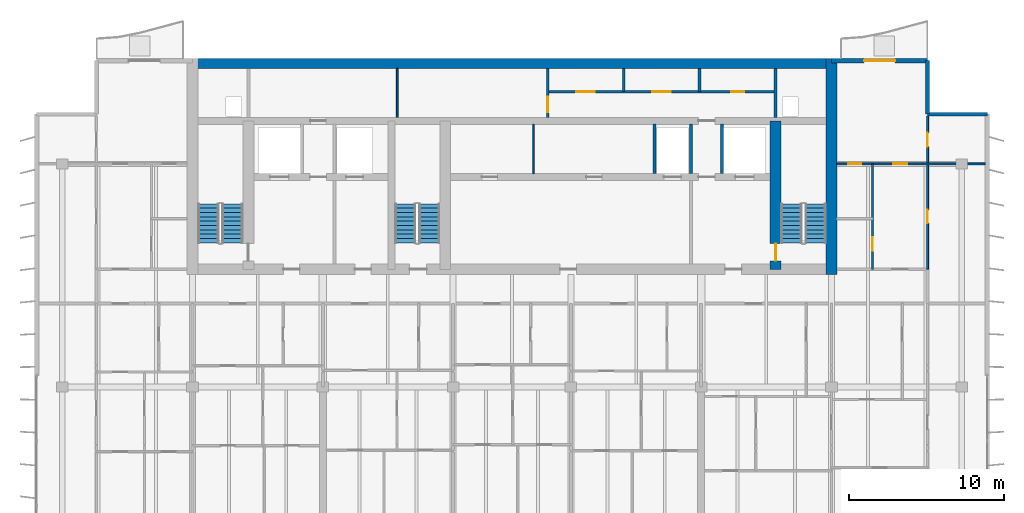
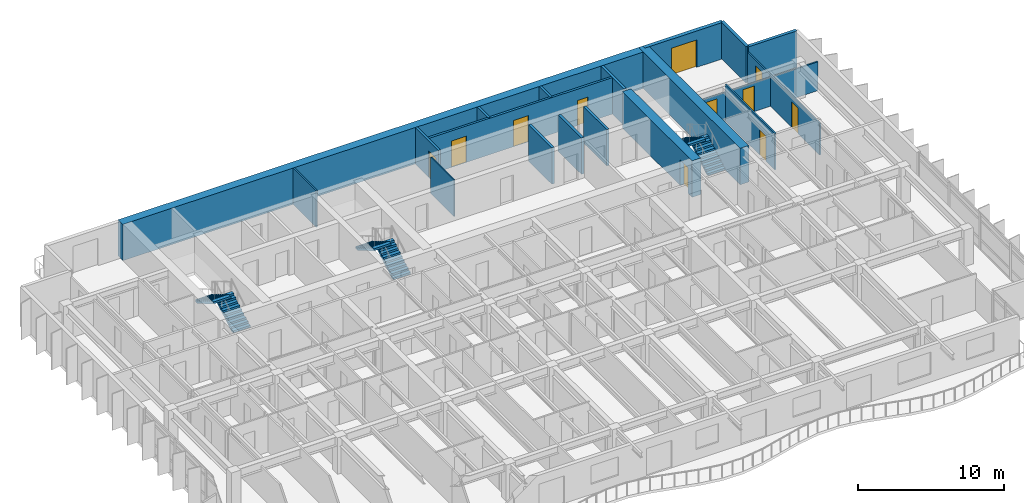
# One storey, part 11 of 17: 19 walls, 11 doors, 6 stair flights, 11 openings, 3 elements without a shape of their own.
"""IFC4 building model written with IfcOpenShell, lengths in metres."""

from ifc_helpers import new_model, si_unit, direction, frame, frame_2d, origin, place, context, subcontext, project, spatial, polyline, rectangle, outline, extrude, material, layer, layer_set, type_object, element, fill, aggregate, save


model = new_model("IFC4")

# Units and contexts
model_context = context("Model", 3, precision=1e-05, world=origin(), true_north=direction((0.0, 1.0)))
body_context = subcontext(model_context, "Body", "Model", "MODEL_VIEW")
ifc_project = project(units=[si_unit("LENGTHUNIT", "METRE"), si_unit("AREAUNIT", "SQUARE_METRE"), si_unit("VOLUMEUNIT", "CUBIC_METRE"), si_unit("PLANEANGLEUNIT", "RADIAN"), si_unit("MASSUNIT", "GRAM", prefix="KILO")], contexts=[model_context])

# Site, building, storey
site_placement = place(None, origin())
site = spatial("IfcSite", under=ifc_project, at=site_placement, CompositionType="ELEMENT")
building_placement = place(site_placement, origin())
building = spatial("IfcBuilding", under=site, at=building_placement, Name="Caelmar Bay Residences", CompositionType="ELEMENT")
storey_placement = place(building_placement, frame((0.0, 0.0, 262.800048828125)))
storey = spatial("IfcBuildingStorey", under=building, at=storey_placement, Name="L74", CompositionType="ELEMENT", Elevation=262.800048828125)

# Wall
ifc_material_1 = material(Name="Concrete f'c 55 MPa (8,000 psi)", Category="concrete")
ifc_layer_1 = layer(ifc_material_1, 0.699951171875)
ifc_layer_set_1 = layer_set([ifc_layer_1], Name="Concrete f'c 55 MPa (8,000 psi)")
wall_type_1 = type_object("IfcWallType", Name="SW-COR-700", PredefinedType="SHEAR", material=ifc_layer_set_1)
wall_1_placement = place(storey_placement, frame((59.5, 36.64990234375, 0.0), z_axis=(0.0, 0.0, 1.0), x_axis=(0.0, 1.0, 0.0)))
element("IfcWall", 1, at=wall_1_placement, inside=storey, type_object=wall_type_1, Name="L74 Rear Core East Shear Wall", PredefinedType="SHEAR", context=body_context, shape_type="SweptSolid", body=[
    extrude(rectangle(XDim=13.9501953125, YDim=0.699951171875, at=frame_2d((6.97509765625, 0.0))), origin(), (0.0, 0.0, 1.0), 3.050048828125),
])

# Wall, opening, door
wall_2_placement = place(storey_placement, frame((55.89990234375, 37.0, 0.0), z_axis=(0.0, 0.0, 1.0), x_axis=(0.0, 1.0, 0.0)))
wall_2 = element("IfcWall", 2, at=wall_2_placement, inside=storey, type_object=wall_type_1, Name="L74 Core Structural Web Wall ST2W", PredefinedType="SHEAR", context=body_context, shape_type="SweptSolid", body=[
    extrude(rectangle(XDim=9.574951171875, YDim=0.699951171875, at=frame_2d((4.78759765625, 0.0))), origin(), (0.0, 0.0, 1.0), 3.050048828125),
])
opening_1_placement = place(wall_2_placement, frame((0.550048828125, 0.0, 0.0)))
opening_1 = element("IfcOpeningElement", 3, at=opening_1_placement, cuts=wall_2, Name="Opening D-L74-110", PredefinedType="OPENING", context=body_context, shape_type="SweptSolid", body=[
    extrude(rectangle(XDim=1.10009765625, YDim=2.14990234375, at=frame_2d((0.550048828125, 1.074951171875))), frame((0.0, 0.35986328125, 0.0), z_axis=(0.0, -1.0, 0.0), x_axis=(1.0, 0.0, 0.0)), (0.0, 0.0, 1.0), 0.719970703125),
])
ifc_material_2 = material(Name="Fire-rated steel and walnut architectural door assembly", Category="steel")
ifc_layer_2 = layer(ifc_material_2, 0.050048828125)
ifc_layer_set_2 = layer_set([ifc_layer_2], Name="Fire-rated steel and walnut architectural door assembly")
door_type_1 = type_object("IfcDoorType", Name="D-STAIR-1100", OperationType="NOTDEFINED", PredefinedType="DOOR", material=ifc_layer_set_2)
door_1_placement = place(opening_1_placement, origin())
door_1 = element("IfcDoor", 4, at=door_1_placement, inside=storey, type_object=door_type_1, Name="L74 Firefighting Lobby East Door", OperationType="SINGLE_SWING_RIGHT", OverallHeight=2.14990234375, OverallWidth=1.10009765625, PredefinedType="DOOR", context=body_context, shape_type="SweptSolid", body=[
    extrude(rectangle(XDim=1.10009765625, YDim=2.14990234375, at=frame_2d((0.550048828125, 1.074951171875))), frame((0.0, 0.02490234375, 0.0), z_axis=(0.0, -1.0, 0.0), x_axis=(1.0, 0.0, 0.0)), (0.0, 0.0, 1.0), 0.050048828125),
])
fill(opening_1, door_1)

# Wall
ifc_layer_3 = layer(ifc_material_1, 0.64990234375)
ifc_layer_set_3 = layer_set([ifc_layer_3], Name="Concrete f'c 55 MPa (8,000 psi)")
wall_type_2 = type_object("IfcWallType", Name="SW-CORN-650", PredefinedType="SHEAR", material=ifc_layer_set_3)
wall_3_placement = place(storey_placement, frame((17.949951171875, 50.27490234375, 0.0), z_axis=(0.0, 0.0, 1.0), x_axis=(1.0, 0.0, 0.0)))
element("IfcWall", 5, at=wall_3_placement, inside=storey, type_object=wall_type_2, Name="L74 Rear Core North Shear Wall", PredefinedType="SHEAR", context=body_context, shape_type="SweptSolid", body=[
    extrude(rectangle(XDim=41.900146484375, YDim=0.64990234375, at=frame_2d((20.9501953125, 0.0))), origin(), (0.0, 0.0, 1.0), 3.050048828125),
])

# Wall, opening, door
ifc_material_3 = material(Name="Double-stud acoustic fire-rated gypsum partition 180 mm")
ifc_layer_4 = layer(ifc_material_3, 0.179931640625)
ifc_layer_set_4 = layer_set([ifc_layer_4], Name="Double-stud acoustic fire-rated gypsum partition 180 mm")
wall_type_3 = type_object("IfcWallType", Name="W-COR-200", PredefinedType="PARTITIONING", material=ifc_layer_set_4)
wall_4_placement = place(storey_placement, frame((41.199951171875, 46.794921875, 0.0), z_axis=(0.0, 0.0, 1.0), x_axis=(0.0, 1.0, 0.0)))
wall_4 = element("IfcWall", 6, at=wall_4_placement, inside=storey, type_object=wall_type_3, Name="L74 Partition Wall V056", PredefinedType="PARTITIONING", context=body_context, shape_type="SweptSolid", body=[
    extrude(rectangle(XDim=3.16015625, YDim=0.179931640625, at=frame_2d((1.580078125, 0.0))), origin(), (0.0, 0.0, 1.0), 3.050048828125),
])
opening_2_placement = place(wall_4_placement, frame((0.327392578125, 0.0, 0.0)))
opening_2 = element("IfcOpeningElement", 7, at=opening_2_placement, cuts=wall_4, Name="Opening D-L74-118", PredefinedType="OPENING", context=body_context, shape_type="SweptSolid", body=[
    extrude(rectangle(XDim=1.0, YDim=2.199951171875, at=frame_2d((0.5, 1.10009765625))), frame((0.0, 0.099853515625, 0.0), z_axis=(0.0, -1.0, 0.0), x_axis=(1.0, 0.0, 0.0)), (0.0, 0.0, 1.0), 0.199951171875),
])
ifc_layer_5 = layer(ifc_material_2, 0.050048828125)
ifc_layer_set_5 = layer_set([ifc_layer_5], Name="Fire-rated steel and walnut architectural door assembly")
door_type_2 = type_object("IfcDoorType", Name="D-UNIT-1000", OperationType="NOTDEFINED", PredefinedType="DOOR", material=ifc_layer_set_5)
door_2_placement = place(opening_2_placement, origin())
door_2 = element("IfcDoor", 8, at=door_2_placement, inside=storey, type_object=door_type_2, Name="L74 Engineering Control Office Door", OperationType="SINGLE_SWING_RIGHT", OverallHeight=2.199951171875, OverallWidth=1.0, PredefinedType="DOOR", context=body_context, shape_type="SweptSolid", body=[
    extrude(rectangle(XDim=1.0, YDim=2.199951171875, at=frame_2d((0.5, 1.10009765625))), frame((0.0, 0.02490234375, 0.0), z_axis=(0.0, -1.0, 0.0), x_axis=(1.0, 0.0, 0.0)), (0.0, 0.0, 1.0), 0.050048828125),
])
fill(opening_2, door_2)

# Walls
for number, where, z_axis, x_axis, name in (
    (9, (46.10009765625, 48.449951171875, 0.0), (0.0, 0.0, 1.0), (0.0, 1.0, 0.0), "L74 Partition Wall V063"),
    (10, (51.0, 48.449951171875, 0.0), (0.0, 0.0, 1.0), (0.0, 1.0, 0.0), "L74 Partition Wall V073"),
):
    element("IfcWall", number, at=place(storey_placement, frame(where, z_axis=z_axis, x_axis=x_axis)), inside=storey, type_object=wall_type_3, Name=name, PredefinedType="PARTITIONING", context=body_context, shape_type="SweptSolid", body=[
        extrude(rectangle(XDim=1.505126953125, YDim=0.179931640625, at=frame_2d((0.75244140625, 0.0))), origin(), (0.0, 0.0, 1.0), 3.050048828125),
    ])

# Wall, openings, doors
wall_5_placement = place(storey_placement, frame((41.199951171875, 48.449951171875, 0.0), z_axis=(0.0, 0.0, 1.0), x_axis=(1.0, 0.0, 0.0)))
wall_5 = element("IfcWall", 11, at=wall_5_placement, inside=storey, type_object=wall_type_3, Name="L74 Partition Wall H140", PredefinedType="PARTITIONING", context=body_context, shape_type="SweptSolid", body=[
    extrude(rectangle(XDim=14.699951171875, YDim=0.179931640625, at=frame_2d((7.35009765625, 0.0))), origin(), (0.0, 0.0, 1.0), 3.050048828125),
])
opening_3_placement = place(wall_5_placement, frame((1.85009765625, 0.0, 0.0)))
opening_3 = element("IfcOpeningElement", 12, at=opening_3_placement, cuts=wall_5, Name="Opening D-L74-119", PredefinedType="OPENING", context=body_context, shape_type="SweptSolid", body=[
    extrude(rectangle(XDim=1.199951171875, YDim=2.199951171875, at=frame_2d((0.60009765625, 1.10009765625))), frame((0.0, 0.099853515625, 0.0), z_axis=(0.0, -1.0, 0.0), x_axis=(1.0, 0.0, 0.0)), (0.0, 0.0, 1.0), 0.199951171875),
])
opening_4_placement = place(wall_5_placement, frame((6.75, 0.0, 0.0)))
opening_4 = element("IfcOpeningElement", 13, at=opening_4_placement, cuts=wall_5, Name="Opening D-L74-120", PredefinedType="OPENING", context=body_context, shape_type="SweptSolid", body=[
    extrude(rectangle(XDim=1.199951171875, YDim=2.199951171875, at=frame_2d((0.60009765625, 1.10009765625))), frame((0.0, 0.099853515625, 0.0), z_axis=(0.0, -1.0, 0.0), x_axis=(1.0, 0.0, 0.0)), (0.0, 0.0, 1.0), 0.199951171875),
])
opening_5_placement = place(wall_5_placement, frame((11.824951171875, 0.0, 0.0)))
opening_5 = element("IfcOpeningElement", 14, at=opening_5_placement, cuts=wall_5, Name="Opening D-L74-121", PredefinedType="OPENING", context=body_context, shape_type="SweptSolid", body=[
    extrude(rectangle(XDim=0.85009765625, YDim=2.10009765625, at=frame_2d((0.425048828125, 1.050048828125))), frame((0.0, 0.099853515625, 0.0), z_axis=(0.0, -1.0, 0.0), x_axis=(1.0, 0.0, 0.0)), (0.0, 0.0, 1.0), 0.199951171875),
])
ifc_layer_6 = layer(ifc_material_2, 0.050048828125)
ifc_layer_set_6 = layer_set([ifc_layer_6], Name="Fire-rated steel and walnut architectural door assembly")
door_type_3 = type_object("IfcDoorType", Name="D-CORE-850", OperationType="NOTDEFINED", PredefinedType="DOOR", material=ifc_layer_set_6)
door_3_placement = place(opening_5_placement, origin())
door_3 = element("IfcDoor", 15, at=door_3_placement, inside=storey, type_object=door_type_3, Name="L74 Accessible Staff WC Door", OperationType="SINGLE_SWING_LEFT", OverallHeight=2.10009765625, OverallWidth=0.85009765625, PredefinedType="DOOR", context=body_context, shape_type="SweptSolid", body=[
    extrude(rectangle(XDim=0.85009765625, YDim=2.10009765625, at=frame_2d((0.425048828125, 1.050048828125))), frame((0.0, 0.02490234375, 0.0), z_axis=(0.0, -1.0, 0.0), x_axis=(1.0, 0.0, 0.0)), (0.0, 0.0, 1.0), 0.050048828125),
])
fill(opening_5, door_3)
ifc_layer_7 = layer(ifc_material_2, 0.050048828125)
ifc_layer_set_7 = layer_set([ifc_layer_7], Name="Fire-rated steel and walnut architectural door assembly")
door_type_4 = type_object("IfcDoorType", Name="D-PLANT-1200", OperationType="NOTDEFINED", PredefinedType="DOOR", material=ifc_layer_set_7)
door_4_placement = place(opening_3_placement, origin())
door_4 = element("IfcDoor", 16, at=door_4_placement, inside=storey, type_object=door_type_4, Name="L74 Electrical Closet Door", OperationType="SINGLE_SWING_LEFT", OverallHeight=2.199951171875, OverallWidth=1.199951171875, PredefinedType="DOOR", context=body_context, shape_type="SweptSolid", body=[
    extrude(rectangle(XDim=1.199951171875, YDim=2.199951171875, at=frame_2d((0.60009765625, 1.10009765625))), frame((0.0, 0.02490234375, 0.0), z_axis=(0.0, -1.0, 0.0), x_axis=(1.0, 0.0, 0.0)), (0.0, 0.0, 1.0), 0.050048828125),
])
fill(opening_3, door_4)
door_5_placement = place(opening_4_placement, origin())
door_5 = element("IfcDoor", 17, at=door_5_placement, inside=storey, type_object=door_type_4, Name="L74 Housekeeping Linen Closet Door", OperationType="SINGLE_SWING_RIGHT", OverallHeight=2.199951171875, OverallWidth=1.199951171875, PredefinedType="DOOR", context=body_context, shape_type="SweptSolid", body=[
    extrude(rectangle(XDim=1.199951171875, YDim=2.199951171875, at=frame_2d((0.60009765625, 1.10009765625))), frame((0.0, 0.02490234375, 0.0), z_axis=(0.0, -1.0, 0.0), x_axis=(1.0, 0.0, 0.0)), (0.0, 0.0, 1.0), 0.050048828125),
])
fill(opening_4, door_5)

# Walls
ifc_material_4 = material(Name="Precast concrete f'c 40 MPa (6,000 psi)", Category="concrete")
ifc_layer_8 = layer(ifc_material_4, 0.25)
ifc_layer_set_8 = layer_set([ifc_layer_8], Name="Precast concrete f'c 40 MPa (6,000 psi)")
wall_type_4 = type_object("IfcWallType", Name="W-EXT-250", PredefinedType="ELEMENTEDWALL", material=ifc_layer_set_8)
wall_6_placement = place(storey_placement, frame((65.699951171875, 50.449951171875, 0.0), z_axis=(0.0, 0.0, 1.0), x_axis=(0.0, -1.0, 0.0)))
element("IfcWall", 18, at=wall_6_placement, inside=storey, type_object=wall_type_4, Name="L74 NNE-V Notch Wall", PredefinedType="ELEMENTEDWALL", context=body_context, shape_type="SweptSolid", body=[
    extrude(rectangle(XDim=3.449951171875, YDim=0.25, at=frame_2d((1.72509765625, 0.0))), origin(), (0.0, 0.0, 1.0), 3.050048828125),
])
wall_7_placement = place(storey_placement, frame((65.699951171875, 47.0, 0.0), z_axis=(0.0, 0.0, 1.0), x_axis=(1.0, 0.0, 0.0)))
element("IfcWall", 19, at=wall_7_placement, inside=storey, type_object=wall_type_4, Name="L74 NNE-H Notch Wall", PredefinedType="ELEMENTEDWALL", context=body_context, shape_type="SweptSolid", body=[
    extrude(rectangle(XDim=3.85009765625, YDim=0.25, at=frame_2d((1.925048828125, 0.0))), origin(), (0.0, 0.0, 1.0), 3.050048828125),
])

# Wall, opening, door
ifc_layer_9 = layer(ifc_material_4, 0.300048828125)
ifc_layer_set_9 = layer_set([ifc_layer_9], Name="Precast concrete f'c 40 MPa (6,000 psi)")
wall_type_5 = type_object("IfcWallType", Name="W-EXT-300", PredefinedType="STANDARD", material=ifc_layer_set_9)
wall_8_placement = place(storey_placement, frame((59.5, 50.449951171875, 0.0), z_axis=(0.0, 0.0, 1.0), x_axis=(1.0, 0.0, 0.0)))
wall_8 = element("IfcWall", 20, at=wall_8_placement, inside=storey, type_object=wall_type_5, Name="L74 North-East Wing Exterior Wall", PredefinedType="STANDARD", context=body_context, shape_type="SweptSolid", body=[
    extrude(rectangle(XDim=6.199951171875, YDim=0.300048828125, at=frame_2d((3.10009765625, 0.0))), origin(), (0.0, 0.0, 1.0), 3.050048828125),
])
opening_6_placement = place(wall_8_placement, frame((2.10009765625, 0.0, 0.0)))
opening_6 = element("IfcOpeningElement", 21, at=opening_6_placement, cuts=wall_8, Name="Opening L74-BDNE", PredefinedType="OPENING", context=body_context, shape_type="SweptSolid", body=[
    extrude(rectangle(XDim=2.0, YDim=2.300048828125, at=frame_2d((1.0, 1.14990234375))), frame((0.0, 0.159912109375, 0.0), z_axis=(0.0, -1.0, 0.0), x_axis=(1.0, 0.0, 0.0)), (0.0, 0.0, 1.0), 0.320068359375),
])
ifc_material_5 = material(Name="Anodised bronze thermally broken sliding glass door", Category="glass")
ifc_layer_10 = layer(ifc_material_5, 0.050048828125)
ifc_layer_set_10 = layer_set([ifc_layer_10], Name="Anodised bronze thermally broken sliding glass door")
door_type_5 = type_object("IfcDoorType", Name="D-BAL-2000", OperationType="DOUBLE_DOOR_SLIDING", PredefinedType="DOOR", material=ifc_layer_set_10)
door_6_placement = place(opening_6_placement, origin())
door_6 = element("IfcDoor", 22, at=door_6_placement, inside=storey, type_object=door_type_5, Name="L74 North-East Balcony Door", OperationType="DOUBLE_DOOR_SLIDING", OverallHeight=2.300048828125, OverallWidth=2.0, PredefinedType="DOOR", context=body_context, shape_type="SweptSolid", body=[
    extrude(rectangle(XDim=2.0, YDim=2.300048828125, at=frame_2d((1.0, 1.14990234375))), frame((0.0, 0.02490234375, 0.0), z_axis=(0.0, -1.0, 0.0), x_axis=(1.0, 0.0, 0.0)), (0.0, 0.0, 1.0), 0.050048828125),
])
fill(opening_6, door_6)

# Walls
ifc_material_6 = material(Name="Fire-rated masonry and gypsum shaftliner assembly 200 mm", Category="masonry")
ifc_layer_11 = layer(ifc_material_6, 0.199951171875)
ifc_layer_set_11 = layer_set([ifc_layer_11], Name="Fire-rated masonry and gypsum shaftliner assembly 200 mm")
wall_type_6 = type_object("IfcWallType", Name="W-FSAE-200", PredefinedType="PARTITIONING", material=ifc_layer_set_11)
for number, where, z_axis, x_axis, name in (
    (23, (48.10009765625, 43.169921875, 0.0), (0.0, 0.0, 1.0), (0.0, 1.0, 0.0), "L74 Partition Wall V068"),
    (24, (50.449951171875, 43.169921875, 0.0), (0.0, 0.0, 1.0), (0.0, 1.0, 0.0), "L74 Partition Wall V072"),
    (25, (52.449951171875, 43.169921875, 0.0), (0.0, 0.0, 1.0), (0.0, 1.0, 0.0), "L74 Partition Wall V079"),
):
    element("IfcWall", number, at=place(storey_placement, frame(where, z_axis=z_axis, x_axis=x_axis)), inside=storey, type_object=wall_type_6, Name=name, PredefinedType="PARTITIONING", context=body_context, shape_type="SweptSolid", body=[
        extrude(rectangle(XDim=3.18505859375, YDim=0.199951171875, at=frame_2d((1.592529296875, 0.0))), origin(), (0.0, 0.0, 1.0), 3.050048828125),
    ])
wall_9_placement = place(storey_placement, frame((55.89990234375, 46.794921875, 0.0), z_axis=(0.0, 0.0, 1.0), x_axis=(0.0, 1.0, 0.0)))
element("IfcWall", 26, at=wall_9_placement, inside=storey, type_object=wall_type_6, Name="L74 Partition Wall V083", PredefinedType="PARTITIONING", context=body_context, shape_type="SweptSolid", body=[
    extrude(rectangle(XDim=3.16015625, YDim=0.199951171875, at=frame_2d((1.580078125, 0.0))), origin(), (0.0, 0.0, 1.0), 3.050048828125),
])
ifc_material_7 = material(Name="Anodised bronze framed acoustic sliding study partition 100 mm")
ifc_layer_12 = layer(ifc_material_7, 0.10009765625)
ifc_layer_set_12 = layer_set([ifc_layer_12], Name="Anodised bronze framed acoustic sliding study partition 100 mm")
wall_type_7 = type_object("IfcWallType", Name="W-MOV-100", PredefinedType="MOVABLE", material=ifc_layer_set_12)
wall_10_placement = place(storey_placement, frame((40.300048828125, 43.169921875, 0.0), z_axis=(0.0, 0.0, 1.0), x_axis=(0.0, 1.0, 0.0)))
element("IfcWall", 27, at=wall_10_placement, inside=storey, type_object=wall_type_7, Name="L74 Partition Wall V055", PredefinedType="MOVABLE", context=body_context, shape_type="SweptSolid", body=[
    extrude(rectangle(XDim=3.18505859375, YDim=0.10009765625, at=frame_2d((1.592529296875, 0.0))), origin(), (0.0, 0.0, 1.0), 3.050048828125),
])
ifc_material_8 = material(Name="Acoustic metal-stud gypsum partition 120 mm")
ifc_layer_13 = layer(ifc_material_8, 0.1201171875)
ifc_layer_set_13 = layer_set([ifc_layer_13], Name="Acoustic metal-stud gypsum partition 120 mm")
wall_type_8 = type_object("IfcWallType", Name="W-PRT-120", PredefinedType="PARTITIONING", material=ifc_layer_set_13)
wall_11_placement = place(storey_placement, frame((31.5, 46.794921875, 0.0), z_axis=(0.0, 0.0, 1.0), x_axis=(0.0, 1.0, 0.0)))
element("IfcWall", 28, at=wall_11_placement, inside=storey, type_object=wall_type_8, Name="L74 Partition Wall V040", PredefinedType="PARTITIONING", context=body_context, shape_type="SweptSolid", body=[
    extrude(rectangle(XDim=3.16015625, YDim=0.1201171875, at=frame_2d((1.580078125, 0.0))), origin(), (0.0, 0.0, 1.0), 3.050048828125),
])

# Wall, opening, door
wall_12_placement = place(storey_placement, frame((62.14990234375, 37.0, 0.0), z_axis=(0.0, 0.0, 1.0), x_axis=(0.0, 1.0, 0.0)))
wall_12 = element("IfcWall", 29, at=wall_12_placement, inside=storey, type_object=wall_type_8, Name="L74 Partition Wall V093", PredefinedType="PARTITIONING", context=body_context, shape_type="SweptSolid", body=[
    extrude(rectangle(XDim=6.800048828125, YDim=0.1201171875, at=frame_2d((3.39990234375, 0.0))), origin(), (0.0, 0.0, 1.0), 3.050048828125),
])
opening_7_placement = place(wall_12_placement, frame((1.20703125, 0.0, 0.0)))
opening_7 = element("IfcOpeningElement", 30, at=opening_7_placement, cuts=wall_12, Name="Opening D-L74-175", PredefinedType="OPENING", context=body_context, shape_type="SweptSolid", body=[
    extrude(rectangle(XDim=0.85009765625, YDim=2.10009765625, at=frame_2d((0.425048828125, 1.050048828125))), frame((0.0, 0.070068359375, 0.0), z_axis=(0.0, -1.0, 0.0), x_axis=(1.0, 0.0, 0.0)), (0.0, 0.0, 1.0), 0.14013671875),
])
ifc_material_9 = material(Name="Solid walnut timber interior door leaf and frame", Category="wood")
ifc_layer_14 = layer(ifc_material_9, 0.050048828125)
ifc_layer_set_14 = layer_set([ifc_layer_14], Name="Solid walnut timber interior door leaf and frame")
door_type_6 = type_object("IfcDoorType", Name="D-BATH-850", OperationType="NOTDEFINED", PredefinedType="DOOR", material=ifc_layer_set_14)
door_7_placement = place(opening_7_placement, origin())
door_7 = element("IfcDoor", 31, at=door_7_placement, inside=storey, type_object=door_type_6, Name="L74 Residence EA Walk-In Closet Door", OperationType="SINGLE_SWING_LEFT", OverallHeight=2.10009765625, OverallWidth=0.85009765625, PredefinedType="DOOR", context=body_context, shape_type="SweptSolid", body=[
    extrude(rectangle(XDim=0.85009765625, YDim=2.10009765625, at=frame_2d((0.425048828125, 1.050048828125))), frame((0.0, 0.02490234375, 0.0), z_axis=(0.0, -1.0, 0.0), x_axis=(1.0, 0.0, 0.0)), (0.0, 0.0, 1.0), 0.050048828125),
])
fill(opening_7, door_7)

# Wall, openings, doors
wall_13_placement = place(storey_placement, frame((65.699951171875, 37.0048828125, 0.0), z_axis=(0.0, 0.0, 1.0), x_axis=(0.0, 1.0, 0.0)))
wall_13 = element("IfcWall", 32, at=wall_13_placement, inside=storey, type_object=wall_type_8, Name="L74 Partition Wall V103", PredefinedType="PARTITIONING", context=body_context, shape_type="SweptSolid", body=[
    extrude(rectangle(XDim=9.875, YDim=0.1201171875, at=frame_2d((4.9375, 0.0))), origin(), (0.0, 0.0, 1.0), 2.62890625),
])
opening_8_placement = place(wall_13_placement, frame((2.947509765625, 0.0, 0.0)))
opening_8 = element("IfcOpeningElement", 33, at=opening_8_placement, cuts=wall_13, Name="Opening D-L74-177", PredefinedType="OPENING", context=body_context, shape_type="SweptSolid", body=[
    extrude(rectangle(XDim=0.89990234375, YDim=2.14990234375, at=frame_2d((0.449951171875, 1.074951171875))), frame((0.0, 0.070068359375, 0.0), z_axis=(0.0, -1.0, 0.0), x_axis=(1.0, 0.0, 0.0)), (0.0, 0.0, 1.0), 0.14013671875),
])
opening_9_placement = place(wall_13_placement, frame((7.885009765625, 0.0, 0.0)))
opening_9 = element("IfcOpeningElement", 34, at=opening_9_placement, cuts=wall_13, Name="Opening D-L74-178", PredefinedType="OPENING", context=body_context, shape_type="SweptSolid", body=[
    extrude(rectangle(XDim=0.89990234375, YDim=2.14990234375, at=frame_2d((0.449951171875, 1.074951171875))), frame((0.0, 0.070068359375, 0.0), z_axis=(0.0, -1.0, 0.0), x_axis=(1.0, 0.0, 0.0)), (0.0, 0.0, 1.0), 0.14013671875),
])
ifc_layer_15 = layer(ifc_material_9, 0.050048828125)
ifc_layer_set_15 = layer_set([ifc_layer_15], Name="Solid walnut timber interior door leaf and frame")
door_type_7 = type_object("IfcDoorType", Name="D-ROOM-900", OperationType="NOTDEFINED", PredefinedType="DOOR", material=ifc_layer_set_15)
door_8_placement = place(opening_8_placement, origin())
door_8 = element("IfcDoor", 35, at=door_8_placement, inside=storey, type_object=door_type_7, Name="L74 Residence EA Sun Study Door", OperationType="SINGLE_SWING_LEFT", OverallHeight=2.14990234375, OverallWidth=0.89990234375, PredefinedType="DOOR", context=body_context, shape_type="SweptSolid", body=[
    extrude(rectangle(XDim=0.89990234375, YDim=2.14990234375, at=frame_2d((0.449951171875, 1.074951171875))), frame((0.0, 0.02490234375, 0.0), z_axis=(0.0, -1.0, 0.0), x_axis=(1.0, 0.0, 0.0)), (0.0, 0.0, 1.0), 0.050048828125),
])
fill(opening_8, door_8)
door_9_placement = place(opening_9_placement, origin())
door_9 = element("IfcDoor", 36, at=door_9_placement, inside=storey, type_object=door_type_7, Name="L74 Residence EA North Sitting Alcove Door", OperationType="SINGLE_SWING_RIGHT", OverallHeight=2.14990234375, OverallWidth=0.89990234375, PredefinedType="DOOR", context=body_context, shape_type="SweptSolid", body=[
    extrude(rectangle(XDim=0.89990234375, YDim=2.14990234375, at=frame_2d((0.449951171875, 1.074951171875))), frame((0.0, 0.02490234375, 0.0), z_axis=(0.0, -1.0, 0.0), x_axis=(1.0, 0.0, 0.0)), (0.0, 0.0, 1.0), 0.050048828125),
])
fill(opening_9, door_9)

wall_14_placement = place(storey_placement, frame((59.844970703125, 43.800048828125, 0.0), z_axis=(0.0, 0.0, 1.0), x_axis=(1.0, 0.0, 0.0)))
wall_14 = element("IfcWall", 37, at=wall_14_placement, inside=storey, type_object=wall_type_8, Name="L74 Partition Wall H139", PredefinedType="PARTITIONING", context=body_context, shape_type="SweptSolid", body=[
    extrude(rectangle(XDim=9.56005859375, YDim=0.1201171875, at=frame_2d((4.780029296875, 0.0))), origin(), (0.0, 0.0, 1.0), 2.41796875),
])
opening_10_placement = place(wall_14_placement, frame((3.6298828125, 0.0, 0.0)))
opening_10 = element("IfcOpeningElement", 38, at=opening_10_placement, cuts=wall_14, Name="Opening D-L74-174", PredefinedType="OPENING", context=body_context, shape_type="SweptSolid", body=[
    extrude(rectangle(XDim=0.89990234375, YDim=2.14990234375, at=frame_2d((0.449951171875, 1.074951171875))), frame((0.0, 0.070068359375, 0.0), z_axis=(0.0, -1.0, 0.0), x_axis=(1.0, 0.0, 0.0)), (0.0, 0.0, 1.0), 0.14013671875),
])
opening_11_placement = place(wall_14_placement, frame((0.7275390625, 0.0, 0.0)))
opening_11 = element("IfcOpeningElement", 39, at=opening_11_placement, cuts=wall_14, Name="Opening D-L74-176", PredefinedType="OPENING", context=body_context, shape_type="SweptSolid", body=[
    extrude(rectangle(XDim=0.85009765625, YDim=2.10009765625, at=frame_2d((0.425048828125, 1.050048828125))), frame((0.0, 0.070068359375, 0.0), z_axis=(0.0, -1.0, 0.0), x_axis=(1.0, 0.0, 0.0)), (0.0, 0.0, 1.0), 0.14013671875),
])
door_10_placement = place(opening_11_placement, origin())
door_10 = element("IfcDoor", 40, at=door_10_placement, inside=storey, type_object=door_type_6, Name="L74 Residence EA Bathroom Door", OperationType="SINGLE_SWING_RIGHT", OverallHeight=2.10009765625, OverallWidth=0.85009765625, PredefinedType="DOOR", context=body_context, shape_type="SweptSolid", body=[
    extrude(rectangle(XDim=0.85009765625, YDim=2.10009765625, at=frame_2d((0.425048828125, 1.050048828125))), frame((0.0, 0.02490234375, 0.0), z_axis=(0.0, -1.0, 0.0), x_axis=(1.0, 0.0, 0.0)), (0.0, 0.0, 1.0), 0.050048828125),
])
fill(opening_11, door_10)
door_11_placement = place(opening_10_placement, origin())
door_11 = element("IfcDoor", 41, at=door_11_placement, inside=storey, type_object=door_type_7, Name="L74 Residence EA Studio Living and Sleeping Room Door", OperationType="SINGLE_SWING_RIGHT", OverallHeight=2.14990234375, OverallWidth=0.89990234375, PredefinedType="DOOR", context=body_context, shape_type="SweptSolid", body=[
    extrude(rectangle(XDim=0.89990234375, YDim=2.14990234375, at=frame_2d((0.449951171875, 1.074951171875))), frame((0.0, 0.02490234375, 0.0), z_axis=(0.0, -1.0, 0.0), x_axis=(1.0, 0.0, 0.0)), (0.0, 0.0, 1.0), 0.050048828125),
])
fill(opening_10, door_11)

# Stair, stair flights
ifc_material_10 = material(Name="Concrete f'c 40 MPa (6,000 psi)", Category="concrete")
stair_type = type_object("IfcStairType", Name="ST-TYP-165", PredefinedType="HALF_TURN_STAIR", material=ifc_material_10)
stair_1_placement = place(storey_placement, origin())
stair_1 = element("IfcStair", 42, at=stair_1_placement, inside=storey, type_object=stair_type, Name="L74 West Smokeproof Exit Stair ST1", PredefinedType="HALF_TURN_STAIR")
stair_flight_type = type_object("IfcStairFlightType", Name="STF-1350", PredefinedType="STRAIGHT", material=ifc_material_10)
stair_flight_1_placement = place(storey_placement, frame((20.875, 38.699951171875, 0.0), z_axis=(0.0, 0.0, 1.0), x_axis=(0.0, 1.0, 0.0)))
stair_flight_1 = element("IfcStairFlight", 43, at=stair_flight_1_placement, type_object=stair_flight_type, Name="ST1 flight 1", NumberOfRisers=10, NumberOfTreads=9, PredefinedType="STRAIGHT", RiserHeight=0.165, TreadLength=0.28, context=body_context, shape_type="SweptSolid", body=[
    extrude(outline(polyline([(0.0, 0.0), (0.0, 0.1650390625), (0.280029296875, 0.1650390625), (0.280029296875, 0.330078125), (0.56005859375, 0.330078125), (0.56005859375, 0.4951171875), (0.840087890625, 0.4951171875), (0.840087890625, 0.659912109375), (1.1201171875, 0.659912109375), (1.1201171875, 0.824951171875), (1.39990234375, 0.824951171875), (1.39990234375, 0.989990234375), (1.679931640625, 0.989990234375), (1.679931640625, 1.155029296875), (1.9599609375, 1.155029296875), (1.9599609375, 1.320068359375), (2.239990234375, 1.320068359375), (2.239990234375, 1.485107421875), (2.52001953125, 1.485107421875), (2.52001953125, 1.64990234375), (2.52001953125, 1.31103515625), (0.295166015625, 0.0), (0.0, 0.0)])), frame((0.0, 0.675048828125, 0.0), z_axis=(0.0, -1.0, 0.0), x_axis=(1.0, 0.0, 0.0)), (0.0, 0.0, 1.0), 1.35009765625),
])
stair_flight_2_placement = place(storey_placement, frame((19.324951171875, 41.219970703125, 1.64990234375), z_axis=(0.0, 0.0, 1.0), x_axis=(0.0, -1.0, 0.0)))
stair_flight_2 = element("IfcStairFlight", 44, at=stair_flight_2_placement, type_object=stair_flight_type, Name="ST1 flight 2", NumberOfRisers=10, NumberOfTreads=9, PredefinedType="STRAIGHT", RiserHeight=0.165, TreadLength=0.28, context=body_context, shape_type="SweptSolid", body=[
    extrude(outline(polyline([(0.0, 0.0), (0.0, 0.1650390625), (0.280029296875, 0.1650390625), (0.280029296875, 0.330078125), (0.56005859375, 0.330078125), (0.56005859375, 0.4951171875), (0.840087890625, 0.4951171875), (0.840087890625, 0.659912109375), (1.1201171875, 0.659912109375), (1.1201171875, 0.824951171875), (1.39990234375, 0.824951171875), (1.39990234375, 0.989990234375), (1.679931640625, 0.989990234375), (1.679931640625, 1.155029296875), (1.9599609375, 1.155029296875), (1.9599609375, 1.320068359375), (2.239990234375, 1.320068359375), (2.239990234375, 1.485107421875), (2.52001953125, 1.485107421875), (2.52001953125, 1.64990234375), (2.52001953125, 1.31103515625), (0.295166015625, 0.0), (0.0, 0.0)])), frame((0.0, 0.675048828125, 0.0), z_axis=(0.0, -1.0, 0.0), x_axis=(1.0, 0.0, 0.0)), (0.0, 0.0, 1.0), 1.35009765625),
])
aggregate(stair_1, [stair_flight_1, stair_flight_2])

stair_2_placement = place(storey_placement, origin())
stair_2 = element("IfcStair", 45, at=stair_2_placement, inside=storey, type_object=stair_type, Name="L74 East Smokeproof Exit Stair ST2", PredefinedType="HALF_TURN_STAIR")
stair_flight_3_placement = place(storey_placement, frame((58.47509765625, 38.699951171875, 0.0), z_axis=(0.0, 0.0, 1.0), x_axis=(0.0, 1.0, 0.0)))
stair_flight_3 = element("IfcStairFlight", 46, at=stair_flight_3_placement, type_object=stair_flight_type, Name="ST2 flight 1", NumberOfRisers=10, NumberOfTreads=9, PredefinedType="STRAIGHT", RiserHeight=0.165, TreadLength=0.28, context=body_context, shape_type="SweptSolid", body=[
    extrude(outline(polyline([(0.0, 0.0), (0.0, 0.1650390625), (0.280029296875, 0.1650390625), (0.280029296875, 0.330078125), (0.56005859375, 0.330078125), (0.56005859375, 0.4951171875), (0.840087890625, 0.4951171875), (0.840087890625, 0.659912109375), (1.1201171875, 0.659912109375), (1.1201171875, 0.824951171875), (1.39990234375, 0.824951171875), (1.39990234375, 0.989990234375), (1.679931640625, 0.989990234375), (1.679931640625, 1.155029296875), (1.9599609375, 1.155029296875), (1.9599609375, 1.320068359375), (2.239990234375, 1.320068359375), (2.239990234375, 1.485107421875), (2.52001953125, 1.485107421875), (2.52001953125, 1.64990234375), (2.52001953125, 1.31103515625), (0.295166015625, 0.0), (0.0, 0.0)])), frame((0.0, 0.675048828125, 0.0), z_axis=(0.0, -1.0, 0.0), x_axis=(1.0, 0.0, 0.0)), (0.0, 0.0, 1.0), 1.35009765625),
])
stair_flight_4_placement = place(storey_placement, frame((56.925048828125, 41.219970703125, 1.64990234375), z_axis=(0.0, 0.0, 1.0), x_axis=(0.0, -1.0, 0.0)))
stair_flight_4 = element("IfcStairFlight", 47, at=stair_flight_4_placement, type_object=stair_flight_type, Name="ST2 flight 2", NumberOfRisers=10, NumberOfTreads=9, PredefinedType="STRAIGHT", RiserHeight=0.165, TreadLength=0.28, context=body_context, shape_type="SweptSolid", body=[
    extrude(outline(polyline([(0.0, 0.0), (0.0, 0.1650390625), (0.280029296875, 0.1650390625), (0.280029296875, 0.330078125), (0.56005859375, 0.330078125), (0.56005859375, 0.4951171875), (0.840087890625, 0.4951171875), (0.840087890625, 0.659912109375), (1.1201171875, 0.659912109375), (1.1201171875, 0.824951171875), (1.39990234375, 0.824951171875), (1.39990234375, 0.989990234375), (1.679931640625, 0.989990234375), (1.679931640625, 1.155029296875), (1.9599609375, 1.155029296875), (1.9599609375, 1.320068359375), (2.239990234375, 1.320068359375), (2.239990234375, 1.485107421875), (2.52001953125, 1.485107421875), (2.52001953125, 1.64990234375), (2.52001953125, 1.31103515625), (0.295166015625, 0.0), (0.0, 0.0)])), frame((0.0, 0.675048828125, 0.0), z_axis=(0.0, -1.0, 0.0), x_axis=(1.0, 0.0, 0.0)), (0.0, 0.0, 1.0), 1.35009765625),
])
aggregate(stair_2, [stair_flight_3, stair_flight_4])

stair_3_placement = place(storey_placement, origin())
stair_3 = element("IfcStair", 48, at=stair_3_placement, inside=storey, type_object=stair_type, Name="L74 Central Smokeproof Exit Stair ST3", PredefinedType="HALF_TURN_STAIR")
stair_flight_5_placement = place(storey_placement, frame((33.574951171875, 38.699951171875, 0.0), z_axis=(0.0, 0.0, 1.0), x_axis=(0.0, 1.0, 0.0)))
stair_flight_5 = element("IfcStairFlight", 49, at=stair_flight_5_placement, type_object=stair_flight_type, Name="ST3 flight 1", NumberOfRisers=10, NumberOfTreads=9, PredefinedType="STRAIGHT", RiserHeight=0.165, TreadLength=0.28, context=body_context, shape_type="SweptSolid", body=[
    extrude(outline(polyline([(0.0, 0.0), (0.0, 0.1650390625), (0.280029296875, 0.1650390625), (0.280029296875, 0.330078125), (0.56005859375, 0.330078125), (0.56005859375, 0.4951171875), (0.840087890625, 0.4951171875), (0.840087890625, 0.659912109375), (1.1201171875, 0.659912109375), (1.1201171875, 0.824951171875), (1.39990234375, 0.824951171875), (1.39990234375, 0.989990234375), (1.679931640625, 0.989990234375), (1.679931640625, 1.155029296875), (1.9599609375, 1.155029296875), (1.9599609375, 1.320068359375), (2.239990234375, 1.320068359375), (2.239990234375, 1.485107421875), (2.52001953125, 1.485107421875), (2.52001953125, 1.64990234375), (2.52001953125, 1.31103515625), (0.295166015625, 0.0), (0.0, 0.0)])), frame((0.0, 0.675048828125, 0.0), z_axis=(0.0, -1.0, 0.0), x_axis=(1.0, 0.0, 0.0)), (0.0, 0.0, 1.0), 1.35009765625),
])
stair_flight_6_placement = place(storey_placement, frame((32.02490234375, 41.219970703125, 1.64990234375), z_axis=(0.0, 0.0, 1.0), x_axis=(0.0, -1.0, 0.0)))
stair_flight_6 = element("IfcStairFlight", 50, at=stair_flight_6_placement, type_object=stair_flight_type, Name="ST3 flight 2", NumberOfRisers=10, NumberOfTreads=9, PredefinedType="STRAIGHT", RiserHeight=0.165, TreadLength=0.28, context=body_context, shape_type="SweptSolid", body=[
    extrude(outline(polyline([(0.0, 0.0), (0.0, 0.1650390625), (0.280029296875, 0.1650390625), (0.280029296875, 0.330078125), (0.56005859375, 0.330078125), (0.56005859375, 0.4951171875), (0.840087890625, 0.4951171875), (0.840087890625, 0.659912109375), (1.1201171875, 0.659912109375), (1.1201171875, 0.824951171875), (1.39990234375, 0.824951171875), (1.39990234375, 0.989990234375), (1.679931640625, 0.989990234375), (1.679931640625, 1.155029296875), (1.9599609375, 1.155029296875), (1.9599609375, 1.320068359375), (2.239990234375, 1.320068359375), (2.239990234375, 1.485107421875), (2.52001953125, 1.485107421875), (2.52001953125, 1.64990234375), (2.52001953125, 1.31103515625), (0.295166015625, 0.0), (0.0, 0.0)])), frame((0.0, 0.675048828125, 0.0), z_axis=(0.0, -1.0, 0.0), x_axis=(1.0, 0.0, 0.0)), (0.0, 0.0, 1.0), 1.35009765625),
])
aggregate(stair_3, [stair_flight_5, stair_flight_6])

save(model, "model.ifc")
